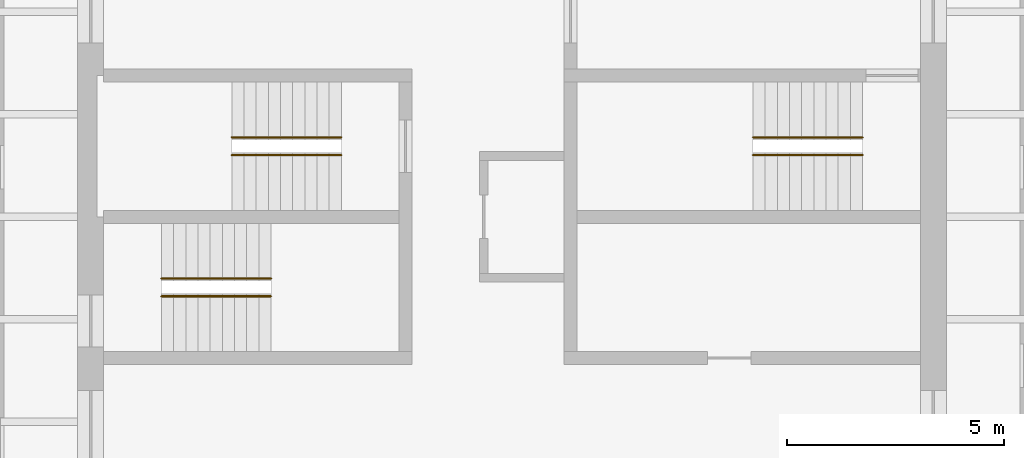
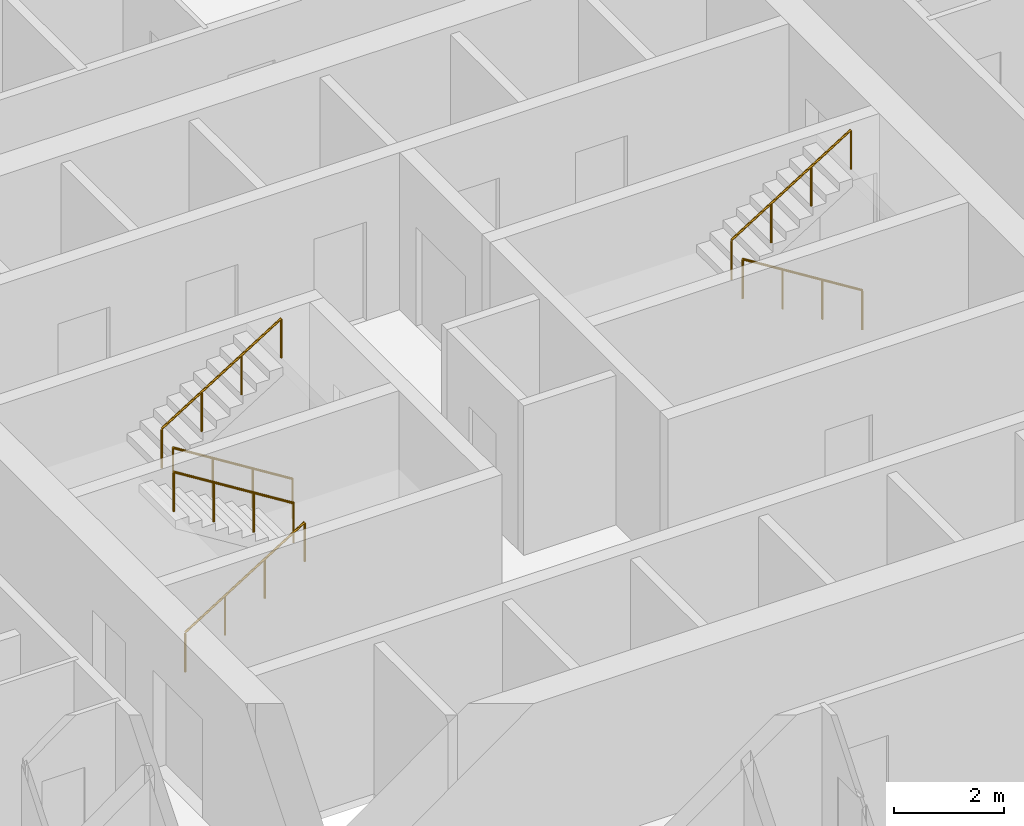
# One storey, part 9 of 9: 6 railings.
"""IFC4 building model written with IfcOpenShell, lengths in metres."""

from ifc_helpers import new_model, si_unit, direction, frame, origin, origin_2d, place, context, subcontext, project, spatial, circle, extrude, material, type_object, element, save


model = new_model("IFC4")

# Units and contexts
model_context = context("Model", 3, precision=1e-05, world=origin(), true_north=direction((0.0, 1.0)))
body_context = subcontext(model_context, "Body", "Model", "MODEL_VIEW")
ifc_project = project(units=[si_unit("LENGTHUNIT", "METRE"), si_unit("AREAUNIT", "SQUARE_METRE"), si_unit("VOLUMEUNIT", "CUBIC_METRE"), si_unit("PLANEANGLEUNIT", "RADIAN"), si_unit("MASSUNIT", "GRAM", prefix="KILO")], contexts=[model_context])

# Site, building, storey
site_placement = place(None, origin())
site = spatial("IfcSite", under=ifc_project, at=site_placement, CompositionType="ELEMENT")
building_placement = place(site_placement, origin())
building = spatial("IfcBuilding", under=site, at=building_placement, Name="Turquesa Mirador Hotel Tower", CompositionType="ELEMENT")
storey_placement = place(building_placement, frame((0.0, 0.0, 128.39990234375)))
storey = spatial("IfcBuildingStorey", under=building, at=storey_placement, Name="L34", CompositionType="ELEMENT", Elevation=128.39990234375)

# Railings
ifc_material = material(Name="Painted steel handrail", Category="steel")
railing_type = type_object("IfcRailingType", Name="HANDRAIL 900 STEEL", PredefinedType="HANDRAIL", material=ifc_material)
railing_1_placement = place(storey_placement, frame((51.070068359375, 46.419921875, 0.175048828125)))
element("IfcRailing", 1, at=railing_1_placement, inside=storey, type_object=railing_type, Name="Handrail ST1", PredefinedType="HANDRAIL", context=body_context, shape_type="SweptSolid", body=[
    extrude(circle(Radius=0.02392578125, at=origin_2d()), frame((0.0, 0.0, 0.8759765625), z_axis=(-0.848007534815, 0.0, 0.529984170421), x_axis=(0.0, -1.0, 0.0)), (0.0, 0.0, 1.0), 2.9716796875),
    extrude(circle(Radius=0.02099609375, at=origin_2d()), origin(), (0.0, 0.0, 1.0), 0.851806640625),
    extrude(circle(Radius=0.02099609375, at=origin_2d()), frame((-0.840087890625, 0.0, 0.52490234375)), (0.0, 0.0, 1.0), 0.851806640625),
    extrude(circle(Radius=0.02099609375, at=origin_2d()), frame((-1.679931640625, 0.0, 1.050048828125)), (0.0, 0.0, 1.0), 0.851806640625),
    extrude(circle(Radius=0.02099609375, at=origin_2d()), frame((-2.52001953125, 0.0, 1.574951171875)), (0.0, 0.0, 1.0), 0.851806640625),
])
for number, where, name in (
    (2, (48.550048828125, 46.830078125, 1.925048828125), "Handrail ST1"),
    (3, (46.929931640625, 43.169921875, 0.175048828125), "Handrail ST2"),
):
    element("IfcRailing", number, at=place(storey_placement, frame(where)), inside=storey, type_object=railing_type, Name=name, PredefinedType="HANDRAIL", context=body_context, shape_type="SweptSolid", body=[
        extrude(circle(Radius=0.02392578125, at=origin_2d()), frame((0.0, 0.0, 0.8759765625), z_axis=(0.848007534815, 0.0, 0.529984170421), x_axis=(0.0, 1.0, 0.0)), (0.0, 0.0, 1.0), 2.9716796875),
        extrude(circle(Radius=0.02099609375, at=origin_2d()), origin(), (0.0, 0.0, 1.0), 0.851806640625),
        extrude(circle(Radius=0.02099609375, at=origin_2d()), frame((0.840087890625, 0.0, 0.52490234375)), (0.0, 0.0, 1.0), 0.851806640625),
        extrude(circle(Radius=0.02099609375, at=origin_2d()), frame((1.679931640625, 0.0, 1.050048828125)), (0.0, 0.0, 1.0), 0.851806640625),
        extrude(circle(Radius=0.02099609375, at=origin_2d()), frame((2.52001953125, 0.0, 1.574951171875)), (0.0, 0.0, 1.0), 0.851806640625),
    ])
for number, where, name in (
    (4, (49.449951171875, 43.580078125, 1.925048828125), "Handrail ST2"),
    (5, (63.070068359375, 46.419921875, 0.175048828125), "Handrail ST3"),
):
    element("IfcRailing", number, at=place(storey_placement, frame(where)), inside=storey, type_object=railing_type, Name=name, PredefinedType="HANDRAIL", context=body_context, shape_type="SweptSolid", body=[
        extrude(circle(Radius=0.02392578125, at=origin_2d()), frame((0.0, 0.0, 0.8759765625), z_axis=(-0.848007534815, 0.0, 0.529984170421), x_axis=(0.0, -1.0, 0.0)), (0.0, 0.0, 1.0), 2.9716796875),
        extrude(circle(Radius=0.02099609375, at=origin_2d()), origin(), (0.0, 0.0, 1.0), 0.851806640625),
        extrude(circle(Radius=0.02099609375, at=origin_2d()), frame((-0.840087890625, 0.0, 0.52490234375)), (0.0, 0.0, 1.0), 0.851806640625),
        extrude(circle(Radius=0.02099609375, at=origin_2d()), frame((-1.679931640625, 0.0, 1.050048828125)), (0.0, 0.0, 1.0), 0.851806640625),
        extrude(circle(Radius=0.02099609375, at=origin_2d()), frame((-2.52001953125, 0.0, 1.574951171875)), (0.0, 0.0, 1.0), 0.851806640625),
    ])
railing_2_placement = place(storey_placement, frame((60.550048828125, 46.830078125, 1.925048828125)))
element("IfcRailing", 6, at=railing_2_placement, inside=storey, type_object=railing_type, Name="Handrail ST3", PredefinedType="HANDRAIL", context=body_context, shape_type="SweptSolid", body=[
    extrude(circle(Radius=0.02392578125, at=origin_2d()), frame((0.0, 0.0, 0.8759765625), z_axis=(0.848007534815, 0.0, 0.529984170421), x_axis=(0.0, 1.0, 0.0)), (0.0, 0.0, 1.0), 2.9716796875),
    extrude(circle(Radius=0.02099609375, at=origin_2d()), origin(), (0.0, 0.0, 1.0), 0.851806640625),
    extrude(circle(Radius=0.02099609375, at=origin_2d()), frame((0.840087890625, 0.0, 0.52490234375)), (0.0, 0.0, 1.0), 0.851806640625),
    extrude(circle(Radius=0.02099609375, at=origin_2d()), frame((1.679931640625, 0.0, 1.050048828125)), (0.0, 0.0, 1.0), 0.851806640625),
    extrude(circle(Radius=0.02099609375, at=origin_2d()), frame((2.52001953125, 0.0, 1.574951171875)), (0.0, 0.0, 1.0), 0.851806640625),
])

save(model, "model.ifc")
